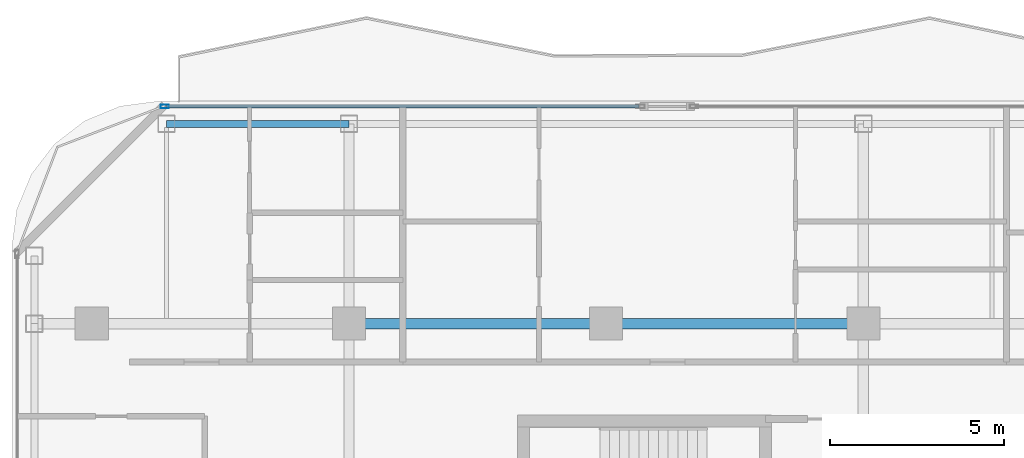
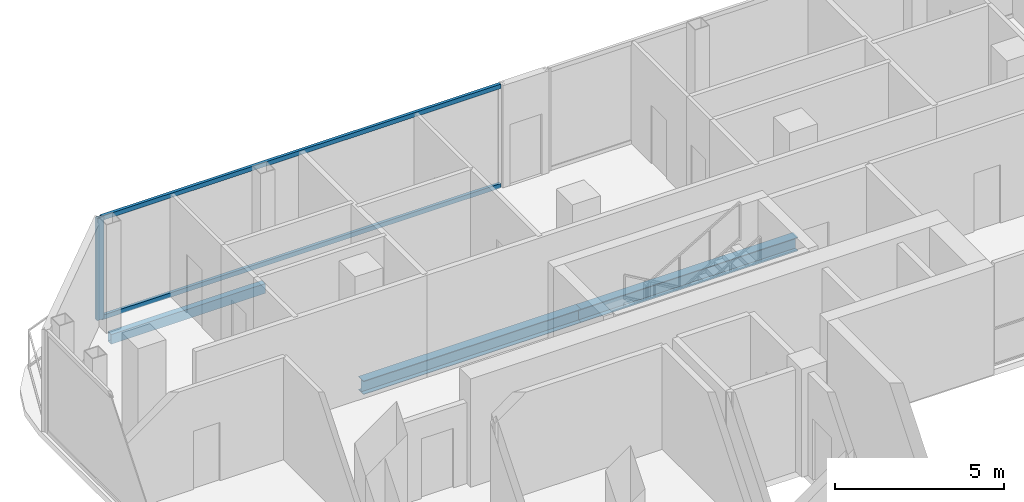
# One storey, part 11 of 23: 3 beams, 3 members, 1 element without a shape of its own.
"""IFC4 building model written with IfcOpenShell, lengths in metres."""

from ifc_helpers import new_model, si_unit, direction, frame, origin, origin_2d, place, context, subcontext, project, spatial, hollow_rectangle, i_section, extrude, material, layer, layer_set, material_profile, profile_set, type_object, element, aggregate, save


model = new_model("IFC4")

# Units and contexts
model_context = context("Model", 3, precision=1e-05, world=origin(), true_north=direction((0.0, 1.0)))
body_context = subcontext(model_context, "Body", "Model", "MODEL_VIEW")
ifc_project = project(units=[si_unit("LENGTHUNIT", "METRE"), si_unit("AREAUNIT", "SQUARE_METRE"), si_unit("VOLUMEUNIT", "CUBIC_METRE"), si_unit("PLANEANGLEUNIT", "RADIAN"), si_unit("MASSUNIT", "GRAM", prefix="KILO")], contexts=[model_context])

# Site, building, storey
site_placement = place(None, origin())
site = spatial("IfcSite", under=ifc_project, at=site_placement, CompositionType="ELEMENT")
building_placement = place(site_placement, origin())
building = spatial("IfcBuilding", under=site, at=building_placement, Name="Khorvyn Point Tower", CompositionType="ELEMENT")
storey_placement = place(building_placement, frame((0.0, 0.0, 274.199951171875)))
storey = spatial("IfcBuildingStorey", under=building, at=storey_placement, Name="L67", CompositionType="ELEMENT", Elevation=274.199951171875)

# Curtain wall, members
ifc_material_1 = material(Name="Anodised aluminium 6063-T6 and laminated Low-E glass", Category="aluminium")
ifc_layer = layer(ifc_material_1, 0.18994140625)
ifc_layer_set = layer_set([ifc_layer], Name="Stick-Built High-Wind Curtain Wall CW-SYS-04")
curtain_wall_type = type_object("IfcCurtainWallType", Name="Stick-Built High-Wind Curtain Wall CW-SYS-04", PredefinedType="NOTDEFINED", material=ifc_layer_set)
curtain_wall_placement = place(storey_placement, origin())
curtain_wall = element("IfcCurtainWall", 1, at=curtain_wall_placement, inside=storey, type_object=curtain_wall_type, Name="Curtain Wall", PredefinedType="NOTDEFINED")
ifc_material_2 = material(Name="Anodised aluminium 6063-T6", Category="aluminium")
ifc_material_profile_1 = material_profile(ifc_material_2, hollow_rectangle(XDim=0.10009765625, YDim=0.239990234375, WallThickness=0.0048828125, at=origin_2d()))
ifc_profile_set_1 = profile_set([ifc_material_profile_1], Name="Anodised aluminium 6063-T6 ALU-MUL-100x240")
member_type_1 = type_object("IfcMemberType", Name="Anodised Aluminium 6063-T6 Mullion ALU-MUL-100x240", PredefinedType="MULLION", material=ifc_profile_set_1)
member_1_placement = place(storey_placement, frame((-12.699951171875, 21.050048828125, 0.0), z_axis=(0.0, 0.0, 1.0), x_axis=(0.0, 1.0, 0.0)))
member_1 = element("IfcMember", 2, at=member_1_placement, type_object=member_type_1, Name="Transom", PredefinedType="MULLION", context=body_context, shape_type="SweptSolid", body=[
    extrude(hollow_rectangle(XDim=0.10009765625, YDim=0.239990234375, WallThickness=0.0048828125, at=origin_2d()), origin(), (0.0, 0.0, 1.0), 3.679931640625),
])
ifc_material_profile_2 = material_profile(ifc_material_2, hollow_rectangle(XDim=0.10009765625, YDim=0.159912109375, WallThickness=0.00439453125, at=origin_2d()))
ifc_profile_set_2 = profile_set([ifc_material_profile_2], Name="Anodised aluminium 6063-T6 ALU-TRN-100x160")
member_type_2 = type_object("IfcMemberType", Name="Anodised Aluminium 6063-T6 Transom ALU-TRN-100x160", PredefinedType="USERDEFINED", material=ifc_profile_set_2)
member_2_placement = place(storey_placement, frame((-12.64990234375, 21.050048828125, 0.050048828125), z_axis=(1.0, 0.0, 0.0), x_axis=(0.0, 1.0, 0.0)))
member_2 = element("IfcMember", 3, at=member_2_placement, type_object=member_type_2, Name="Transom", ObjectType="TRANSOM", PredefinedType="USERDEFINED", context=body_context, shape_type="SweptSolid", body=[
    extrude(hollow_rectangle(XDim=0.10009765625, YDim=0.159912109375, WallThickness=0.00439453125, at=origin_2d()), origin(), (0.0, 0.0, 1.0), 13.5869140625),
])
member_3_placement = place(storey_placement, frame((-12.64990234375, 21.050048828125, 3.630126953125), z_axis=(1.0, 0.0, 0.0), x_axis=(0.0, 1.0, 0.0)))
member_3 = element("IfcMember", 4, at=member_3_placement, type_object=member_type_2, Name="Transom", ObjectType="TRANSOM", PredefinedType="USERDEFINED", context=body_context, shape_type="SweptSolid", body=[
    extrude(hollow_rectangle(XDim=0.10009765625, YDim=0.159912109375, WallThickness=0.00439453125, at=origin_2d()), origin(), (0.0, 0.0, 1.0), 13.5869140625),
])
aggregate(curtain_wall, [member_1, member_2, member_3])

# Beams
ifc_material_3 = material(Name="Steel S355", Category="steel")
ifc_material_profile_3 = material_profile(ifc_material_3, i_section(OverallWidth=0.300048828125, OverallDepth=0.488037109375, WebThickness=0.010986328125, FlangeThickness=0.01806640625, at=origin_2d()))
ifc_profile_set_3 = profile_set([ifc_material_profile_3], Name="Steel S355 H488x300x11x18")
beam_type_1 = type_object("IfcBeamType", Name="Steel S355 Spandrel H488x300x11x18", PredefinedType="SPANDREL", material=ifc_profile_set_3)
for number, where, z_axis, x_axis, name in (
    (5, (-7.39990234375, 14.800048828125, -0.4638671875), (1.0, 0.0, 0.0), (0.0, 1.0, 0.0), "Beam"),
    (6, (0.0, 14.800048828125, -0.4638671875), (1.0, 0.0, 0.0), (0.0, 1.0, 0.0), "Beam"),
):
    element("IfcBeam", number, at=place(storey_placement, frame(where, z_axis=z_axis, x_axis=x_axis)), inside=storey, type_object=beam_type_1, Name=name, PredefinedType="SPANDREL", context=body_context, shape_type="SweptSolid", body=[
        extrude(i_section(OverallWidth=0.300048828125, OverallDepth=0.488037109375, WebThickness=0.010986328125, FlangeThickness=0.01806640625, at=origin_2d()), origin(), (0.0, 0.0, 1.0), 7.39990234375),
    ])
ifc_material_profile_4 = material_profile(ifc_material_3, hollow_rectangle(XDim=0.199951171875, YDim=0.35009765625, WallThickness=0.013916015625, at=origin_2d()))
ifc_profile_set_4 = profile_set([ifc_material_profile_4], Name="Steel S355 RHS350x200x14")
beam_type_2 = type_object("IfcBeamType", Name="Steel S355 Spandrel RHS350x200x14", PredefinedType="SPANDREL", material=ifc_profile_set_4)
beam_placement = place(storey_placement, frame((-12.64990234375, 20.550048828125, -0.39501953125), z_axis=(1.0, 0.0, 0.0), x_axis=(0.0, 1.0, 0.0)))
element("IfcBeam", 7, at=beam_placement, inside=storey, type_object=beam_type_2, Name="Beam", PredefinedType="SPANDREL", context=body_context, shape_type="SweptSolid", body=[
    extrude(hollow_rectangle(XDim=0.199951171875, YDim=0.35009765625, WallThickness=0.013916015625, at=origin_2d()), origin(), (0.0, 0.0, 1.0), 5.25),
])

save(model, "model.ifc")
